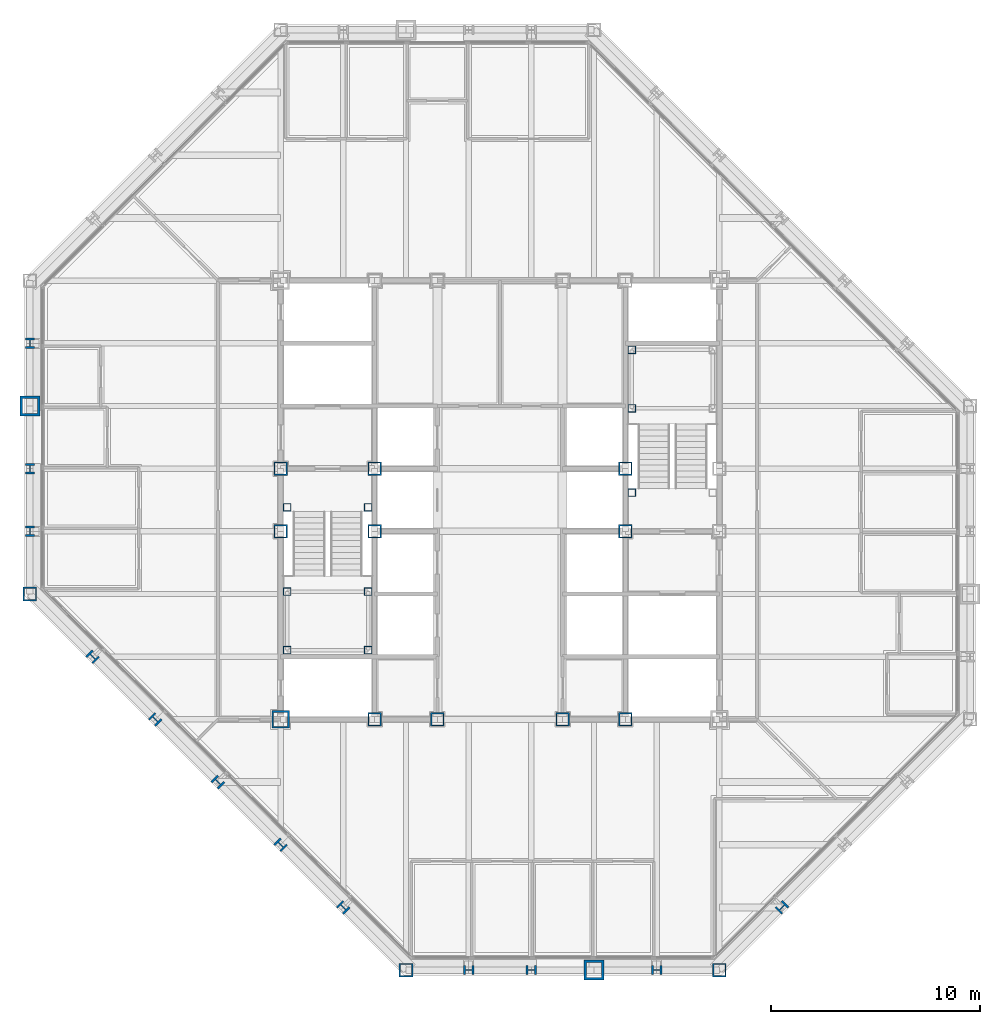
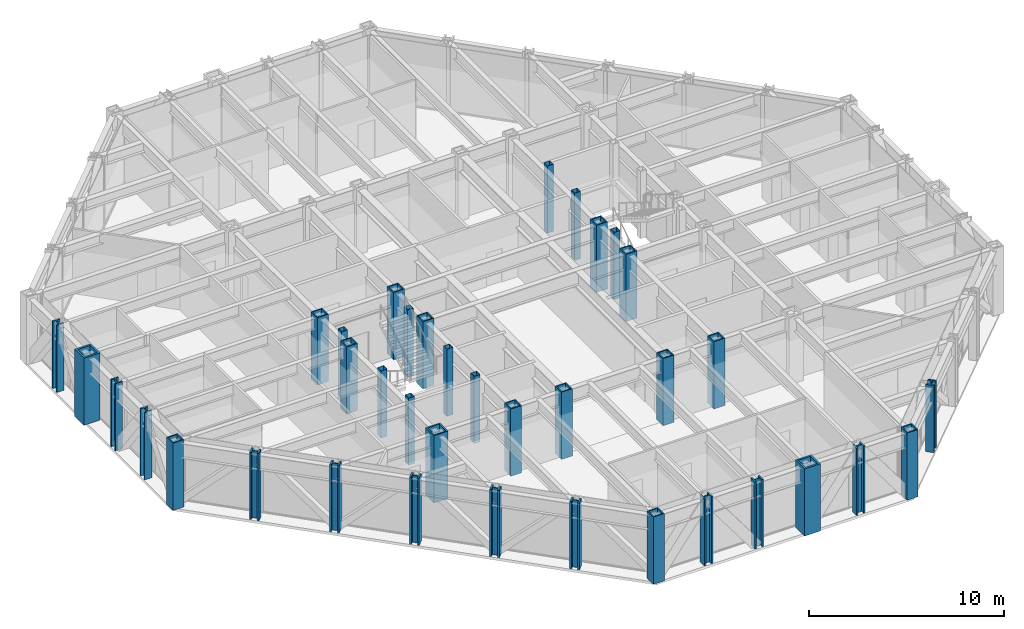
# One storey, part 1 of 15: 37 columns.
"""IFC4 building model written with IfcOpenShell, lengths in metres."""

from ifc_helpers import new_model, si_unit, direction, frame, origin, origin_2d, place, context, subcontext, project, spatial, hollow_rectangle, i_section, extrude, material, material_profile, profile_set, type_object, element, save


model = new_model("IFC4")

# Units and contexts
model_context = context("Model", 3, precision=1e-05, world=origin(), true_north=direction((0.0, 1.0)))
body_context = subcontext(model_context, "Body", "Model", "MODEL_VIEW")
ifc_project = project(units=[si_unit("LENGTHUNIT", "METRE"), si_unit("AREAUNIT", "SQUARE_METRE"), si_unit("VOLUMEUNIT", "CUBIC_METRE"), si_unit("PLANEANGLEUNIT", "RADIAN"), si_unit("MASSUNIT", "GRAM", prefix="KILO")], contexts=[model_context])

# Site, building, storey
site_placement = place(None, origin())
site = spatial("IfcSite", under=ifc_project, at=site_placement, CompositionType="ELEMENT")
building_placement = place(site_placement, origin())
building = spatial("IfcBuilding", under=site, at=building_placement, Name="Chuquiago Exchange Tower", CompositionType="ELEMENT")
storey_placement = place(building_placement, frame((0.0, 0.0, 188.699951171875)))
storey = spatial("IfcBuildingStorey", under=building, at=storey_placement, Name="L41", CompositionType="ELEMENT", Elevation=188.699951171875)

# Columns
ifc_material_1 = material(Name="Steel ASTM A992", Category="steel")
ifc_material_profile_1 = material_profile(ifc_material_1, i_section(OverallWidth=0.431884765625, OverallDepth=0.497802734375, WebThickness=0.0556640625, FlangeThickness=0.0888671875, at=origin_2d()), Name="W14X500")
ifc_profile_set_1 = profile_set([ifc_material_profile_1], Name="Steel ASTM A992")
column_type_1 = type_object("IfcColumnType", Name="C4 W14X500", PredefinedType="COLUMN", material=ifc_profile_set_1)
for number, where, z_axis, x_axis, name in (
    (1, (21.0, 0.0, 0.0), (0.0, 0.0, 1.0), (0.0, -1.0, 0.0), "COL-L41-21_0"),
    (2, (24.0, 0.0, 0.0), (0.0, 0.0, 1.0), (0.0, -1.0, 0.0), "COL-L41-24_0"),
    (3, (30.0, 0.0, 0.0), (0.0, 0.0, 1.0), (0.0, -1.0, 0.0), "COL-L41-30_0"),
    (4, (0.0, 30.0, 0.0), (0.0, 0.0, 1.0), (-1.0, 0.0, 0.0), "COL-L41-0_30"),
    (5, (0.0, 24.0, 0.0), (0.0, 0.0, 1.0), (-1.0, 0.0, 0.0), "COL-L41-0_24"),
    (6, (0.0, 21.0, 0.0), (0.0, 0.0, 1.0), (-1.0, 0.0, 0.0), "COL-L41-0_21"),
):
    element("IfcColumn", number, at=place(storey_placement, frame(where, z_axis=z_axis, x_axis=x_axis)), inside=storey, type_object=column_type_1, Name=name, PredefinedType="COLUMN", context=body_context, shape_type="SweptSolid", body=[
        extrude(i_section(OverallWidth=0.431884765625, OverallDepth=0.497802734375, WebThickness=0.0556640625, FlangeThickness=0.0888671875, at=origin_2d()), origin(), (0.0, 0.0, 1.0), 4.199951171875),
    ])
ifc_material_2 = material(Name="Steel ASTM A572 Grade 50", Category="steel")
ifc_material_profile_2 = material_profile(ifc_material_2, hollow_rectangle(XDim=0.64990234375, YDim=0.64990234375, WallThickness=0.06494140625, at=origin_2d()), Name="BOX650X650X65")
ifc_profile_set_2 = profile_set([ifc_material_profile_2], Name="Steel ASTM A572 Grade 50")
column_type_2 = type_object("IfcColumnType", Name="CC4 BOX650X650X65", PredefinedType="COLUMN", material=ifc_profile_set_2)
for number, where, z_axis, x_axis, name in (
    (7, (16.5, 12.0, 0.0), (0.0, 0.0, 1.0), (1.0, 0.0, 0.0), "CCOL-L41-16.5_12"),
    (8, (19.5, 12.0, 0.0), (0.0, 0.0, 1.0), (1.0, 0.0, 0.0), "CCOL-L41-19.5_12"),
    (9, (25.5, 12.0, 0.0), (0.0, 0.0, 1.0), (1.0, 0.0, 0.0), "CCOL-L41-25.5_12"),
    (10, (28.5, 12.0, 0.0), (0.0, 0.0, 1.0), (1.0, 0.0, 0.0), "CCOL-L41-28.5_12"),
    (11, (12.0, 21.0, 0.0), (0.0, 0.0, 1.0), (1.0, 0.0, 0.0), "CCOL-L41-12_21"),
    (12, (12.0, 24.0, 0.0), (0.0, 0.0, 1.0), (1.0, 0.0, 0.0), "CCOL-L41-12_24"),
    (13, (16.5, 21.0, 0.0), (0.0, 0.0, 1.0), (1.0, 0.0, 0.0), "CCOL-L41-16.5_21"),
    (14, (16.5, 24.0, 0.0), (0.0, 0.0, 1.0), (1.0, 0.0, 0.0), "CCOL-L41-16.5_24"),
    (15, (28.5, 21.0, 0.0), (0.0, 0.0, 1.0), (1.0, 0.0, 0.0), "CCOL-L41-28.5_21"),
    (16, (28.5, 24.0, 0.0), (0.0, 0.0, 1.0), (1.0, 0.0, 0.0), "CCOL-L41-28.5_24"),
):
    element("IfcColumn", number, at=place(storey_placement, frame(where, z_axis=z_axis, x_axis=x_axis)), inside=storey, type_object=column_type_2, Name=name, PredefinedType="COLUMN", context=body_context, shape_type="SweptSolid", body=[
        extrude(hollow_rectangle(XDim=0.64990234375, YDim=0.64990234375, WallThickness=0.06494140625, at=origin_2d()), origin(), (0.0, 0.0, 1.0), 4.199951171875),
    ])
ifc_material_3 = material(Name="Steel ASTM A572 Grade 50", Category="steel")
ifc_material_profile_3 = material_profile(ifc_material_3, hollow_rectangle(XDim=0.85009765625, YDim=0.85009765625, WallThickness=0.0849609375, at=origin_2d()), Name="BOX850X850X85")
ifc_profile_set_3 = profile_set([ifc_material_profile_3], Name="Steel ASTM A572 Grade 50")
column_type_3 = type_object("IfcColumnType", Name="CC6 BOX850X850X85", PredefinedType="COLUMN", material=ifc_profile_set_3)
column_placement = place(storey_placement, frame((12.0, 12.0, 0.0), z_axis=(0.0, 0.0, 1.0), x_axis=(1.0, 0.0, 0.0)))
element("IfcColumn", 17, at=column_placement, inside=storey, type_object=column_type_3, Name="CCOL-L41-12_12", PredefinedType="COLUMN", context=body_context, shape_type="SweptSolid", body=[
    extrude(hollow_rectangle(XDim=0.85009765625, YDim=0.85009765625, WallThickness=0.0849609375, at=origin_2d()), origin(), (0.0, 0.0, 1.0), 4.199951171875),
])
ifc_material_4 = material(Name="Steel ASTM A992", Category="steel")
ifc_material_profile_4 = material_profile(ifc_material_4, i_section(OverallWidth=0.436767578125, OverallDepth=0.51318359375, WebThickness=0.060546875, FlangeThickness=0.096923828125, at=origin_2d()), Name="W14X550")
ifc_profile_set_4 = profile_set([ifc_material_profile_4], Name="Steel ASTM A992")
column_type_4 = type_object("IfcColumnType", Name="CK4 W14X550", PredefinedType="COLUMN", material=ifc_profile_set_4)
for number, where, z_axis, x_axis, name in (
    (18, (36.0, 3.0, 0.0), (0.0, 0.0, 1.0), (0.707106781187, -0.707106781187, 0.0), "COL-L41-36_3"),
    (19, (3.0, 15.0, 0.0), (0.0, 0.0, 1.0), (-0.707106781187, -0.707106781187, 0.0), "COL-L41-3_15"),
    (20, (6.0, 12.0, 0.0), (0.0, 0.0, 1.0), (-0.707106781187, -0.707106781187, 0.0), "COL-L41-6_12"),
    (21, (9.0, 9.0, 0.0), (0.0, 0.0, 1.0), (-0.707106781187, -0.707106781187, 0.0), "COL-L41-9_9"),
    (22, (12.0, 6.0, 0.0), (0.0, 0.0, 1.0), (-0.707106781187, -0.707106781187, 0.0), "COL-L41-12_6"),
    (23, (15.0, 3.0, 0.0), (0.0, 0.0, 1.0), (-0.707106781187, -0.707106781187, 0.0), "COL-L41-15_3"),
):
    element("IfcColumn", number, at=place(storey_placement, frame(where, z_axis=z_axis, x_axis=x_axis)), inside=storey, type_object=column_type_4, Name=name, PredefinedType="COLUMN", context=body_context, shape_type="SweptSolid", body=[
        extrude(i_section(OverallWidth=0.436767578125, OverallDepth=0.51318359375, WebThickness=0.060546875, FlangeThickness=0.096923828125, at=origin_2d()), origin(), (0.0, 0.0, 1.0), 4.199951171875),
    ])
ifc_material_5 = material(Name="Steel ASTM A572 Grade 50", Category="steel")
ifc_material_profile_5 = material_profile(ifc_material_5, hollow_rectangle(XDim=0.64990234375, YDim=0.64990234375, WallThickness=0.06494140625, at=origin_2d()), Name="BOX650X650X65")
ifc_profile_set_5 = profile_set([ifc_material_profile_5], Name="Steel ASTM A572 Grade 50")
column_type_5 = type_object("IfcColumnType", Name="CN2 BOX650X650X65", PredefinedType="COLUMN", material=ifc_profile_set_5)
for number, where, z_axis, x_axis, name in (
    (24, (18.0, 0.0, 0.0), (0.0, 0.0, 1.0), (0.0, -1.0, 0.0), "COL-L41-18_0"),
    (25, (33.0, 0.0, 0.0), (0.0, 0.0, 1.0), (0.0, -1.0, 0.0), "COL-L41-33_0"),
    (26, (0.0, 18.0, 0.0), (0.0, 0.0, 1.0), (-1.0, 0.0, 0.0), "COL-L41-0_18"),
):
    element("IfcColumn", number, at=place(storey_placement, frame(where, z_axis=z_axis, x_axis=x_axis)), inside=storey, type_object=column_type_5, Name=name, PredefinedType="COLUMN", context=body_context, shape_type="SweptSolid", body=[
        extrude(hollow_rectangle(XDim=0.64990234375, YDim=0.64990234375, WallThickness=0.06494140625, at=origin_2d()), origin(), (0.0, 0.0, 1.0), 4.199951171875),
    ])
ifc_material_6 = material(Name="Steel ASTM A572 Grade 42", Category="steel")
ifc_material_profile_6 = material_profile(ifc_material_6, hollow_rectangle(XDim=0.949951171875, YDim=0.949951171875, WallThickness=0.110107421875, at=origin_2d()), Name="BOX950X950X110")
ifc_profile_set_6 = profile_set([ifc_material_profile_6], Name="Steel ASTM A572 Grade 42")
column_type_6 = type_object("IfcColumnType", Name="CT1 BOX950X950X110", PredefinedType="COLUMN", material=ifc_profile_set_6)
for number, where, z_axis, x_axis, name in (
    (27, (27.0, 0.0, 0.0), (0.0, 0.0, 1.0), (0.0, -1.0, 0.0), "COL-L41-27_0"),
    (28, (0.0, 27.0, 0.0), (0.0, 0.0, 1.0), (-1.0, 0.0, 0.0), "COL-L41-0_27"),
):
    element("IfcColumn", number, at=place(storey_placement, frame(where, z_axis=z_axis, x_axis=x_axis)), inside=storey, type_object=column_type_6, Name=name, PredefinedType="COLUMN", context=body_context, shape_type="SweptSolid", body=[
        extrude(hollow_rectangle(XDim=0.949951171875, YDim=0.949951171875, WallThickness=0.110107421875, at=origin_2d()), origin(), (0.0, 0.0, 1.0), 4.199951171875),
    ])
ifc_material_7 = material(Name="Steel ASTM A500 Grade C", Category="steel")
ifc_material_profile_7 = material_profile(ifc_material_7, hollow_rectangle(XDim=0.355712890625, YDim=0.355712890625, WallThickness=0.0146484375, at=origin_2d()), Name="HSS14X14X5/8")
ifc_profile_set_7 = profile_set([ifc_material_profile_7], Name="Steel ASTM A500 Grade C")
column_type_7 = type_object("IfcColumnType", Name="PT2 HSS14X14X5/8", PredefinedType="COLUMN", material=ifc_profile_set_7)
for number, where, z_axis, x_axis, name in (
    (29, (12.31005859375, 15.31005859375, 0.0), (0.0, 0.0, 1.0), (1.0, 0.0, 0.0), "Stair ST1 L41 landing post"),
    (30, (16.18994140625, 15.31005859375, 0.0), (0.0, 0.0, 1.0), (1.0, 0.0, 0.0), "Stair ST1 L41 landing post"),
    (31, (12.31005859375, 18.110107421875, 0.0), (0.0, 0.0, 1.0), (1.0, 0.0, 0.0), "Stair ST1 L41 landing post"),
    (32, (16.18994140625, 18.110107421875, 0.0), (0.0, 0.0, 1.0), (1.0, 0.0, 0.0), "Stair ST1 L41 landing post"),
    (33, (12.31005859375, 22.14990234375, 0.0), (0.0, 0.0, 1.0), (1.0, 0.0, 0.0), "Stair ST1 L41 landing post"),
    (34, (16.18994140625, 22.14990234375, 0.0), (0.0, 0.0, 1.0), (1.0, 0.0, 0.0), "Stair ST1 L41 landing post"),
    (35, (28.81005859375, 29.68994140625, 0.0), (0.0, 0.0, 1.0), (1.0, 0.0, 0.0), "Stair ST2 L41 landing post"),
    (36, (28.81005859375, 26.889892578125, 0.0), (0.0, 0.0, 1.0), (1.0, 0.0, 0.0), "Stair ST2 L41 landing post"),
    (37, (28.81005859375, 22.85009765625, 0.0), (0.0, 0.0, 1.0), (1.0, 0.0, 0.0), "Stair ST2 L41 landing post"),
):
    element("IfcColumn", number, at=place(storey_placement, frame(where, z_axis=z_axis, x_axis=x_axis)), inside=storey, type_object=column_type_7, Name=name, PredefinedType="COLUMN", context=body_context, shape_type="SweptSolid", body=[
        extrude(hollow_rectangle(XDim=0.355712890625, YDim=0.355712890625, WallThickness=0.0146484375, at=origin_2d()), origin(), (0.0, 0.0, 1.0), 4.199951171875),
    ])

save(model, "model.ifc")
